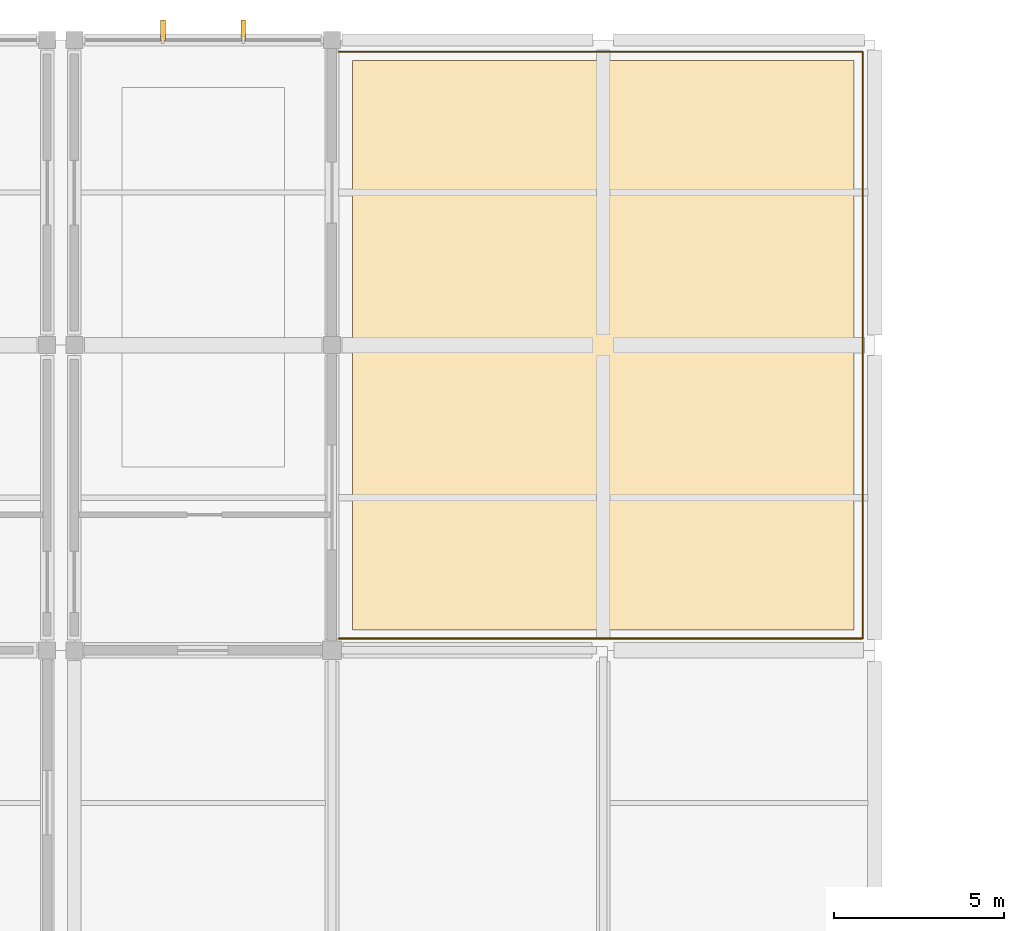
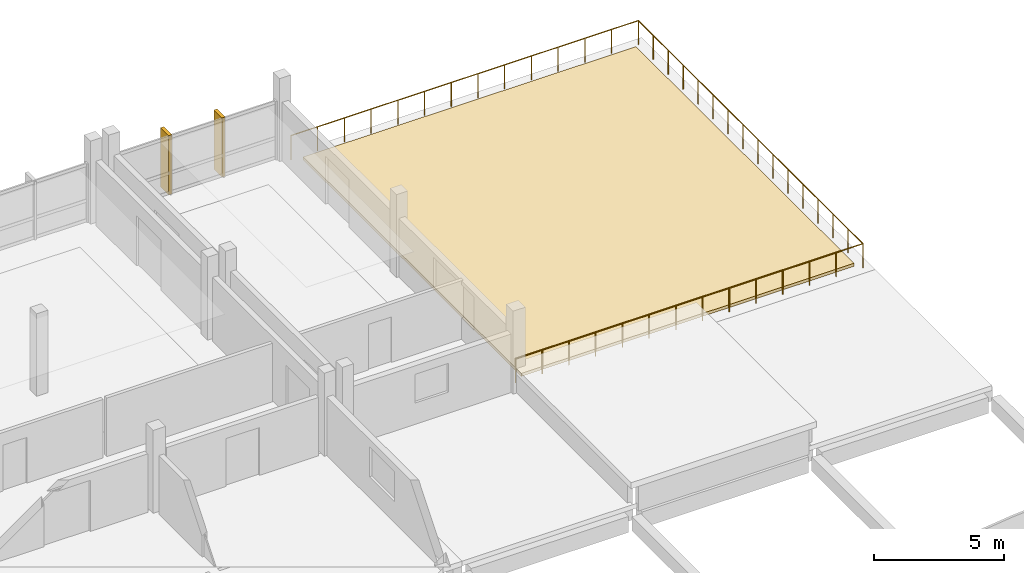
# One storey, part 57 of 57: 2 shading devices, 1 covering, 1 railing.
"""IFC4 building model written with IfcOpenShell, lengths in metres."""

from ifc_helpers import new_model, si_unit, direction, frame, origin, origin_2d, place, context, subcontext, project, spatial, polyline, rectangle, circle, outline, extrude, material, layer, layer_set, type_object, element, save


model = new_model("IFC4")

# Units and contexts
model_context = context("Model", 3, precision=1e-05, world=origin(), true_north=direction((0.0, 1.0)))
body_context = subcontext(model_context, "Body", "Model", "MODEL_VIEW")
ifc_project = project(units=[si_unit("LENGTHUNIT", "METRE"), si_unit("AREAUNIT", "SQUARE_METRE"), si_unit("VOLUMEUNIT", "CUBIC_METRE"), si_unit("PLANEANGLEUNIT", "RADIAN"), si_unit("MASSUNIT", "GRAM", prefix="KILO"), si_unit("THERMODYNAMICTEMPERATUREUNIT", "KELVIN"), si_unit("POWERUNIT", "WATT")], contexts=[model_context])

# Site, building, storey
site_placement = place(None, origin())
site = spatial("IfcSite", under=ifc_project, at=site_placement, CompositionType="ELEMENT")
building_placement = place(site_placement, origin())
building = spatial("IfcBuilding", under=site, at=building_placement, Name="Kronsvod Quay Wholesale Market", CompositionType="ELEMENT")
storey_placement = place(building_placement, frame((0.0, 0.0, 13.199951171875)))
storey = spatial("IfcBuildingStorey", under=building, at=storey_placement, Name="L03", CompositionType="ELEMENT", Elevation=13.199951171875)

# Covering
ifc_material_1 = material(Name="Planted green roof sedum substrate")
ifc_layer = layer(ifc_material_1, 0.139892578125)
ifc_layer_set = layer_set([ifc_layer], Name="Planted green roof sedum substrate")
covering_type = type_object("IfcCoveringType", Name="Cov_GreenRoofSubstrate", PredefinedType="ROOFING", material=ifc_layer_set)
covering_placement = place(storey_placement, origin())
element("IfcCovering", 1, at=covering_placement, inside=storey, type_object=covering_type, Name="COV-GD-L03HE", PredefinedType="ROOFING", context=body_context, shape_type="SweptSolid", body=[
    extrude(outline(polyline([(136.60009765625, 108.60009765625), (151.39990234375, 108.60009765625), (151.39990234375, 125.39990234375), (136.60009765625, 125.39990234375), (136.60009765625, 108.60009765625)])), origin(), (0.0, 0.0, 1.0), 0.14013671875),
])

# Railing
ifc_material_2 = material(Name="Stainless steel and laminated glass", Category="steel")
railing_type = type_object("IfcRailingType", Name="Railing_Balustrade1150", PredefinedType="BALUSTRADE", material=ifc_material_2)
railing_placement = place(storey_placement, frame((136.199951171875, 108.35009765625, 0.0)))
element("IfcRailing", 2, at=railing_placement, inside=storey, type_object=railing_type, Name="GRD-L03-GDE", PredefinedType="BALUSTRADE", context=body_context, shape_type="SweptSolid", body=[
    extrude(circle(Radius=0.02392578125, at=origin_2d()), frame((0.0, 0.0, 1.1259765625), z_axis=(1.0, 0.0, 0.0), x_axis=(0.0, 1.0, 0.0)), (0.0, 0.0, 1.0), 15.449951171875),
    extrude(circle(Radius=0.02392578125, at=origin_2d()), frame((15.449951171875, 0.0, 1.1259765625), z_axis=(0.0, 1.0, 0.0), x_axis=(-1.0, 0.0, 0.0)), (0.0, 0.0, 1.0), 17.2998046875),
    extrude(circle(Radius=0.02392578125, at=origin_2d()), frame((15.449951171875, 17.2998046875, 1.1259765625), z_axis=(-1.0, 0.0, 0.0), x_axis=(0.0, -1.0, 0.0)), (0.0, 0.0, 1.0), 15.449951171875),
    extrude(circle(Radius=0.02099609375, at=origin_2d()), origin(), (0.0, 0.0, 1.0), 1.101806640625),
    extrude(circle(Radius=0.02099609375, at=origin_2d()), frame((1.1884765625, 0.0, 0.0)), (0.0, 0.0, 1.0), 1.101806640625),
    extrude(circle(Radius=0.02099609375, at=origin_2d()), frame((2.376953125, 0.0, 0.0)), (0.0, 0.0, 1.0), 1.101806640625),
    extrude(circle(Radius=0.02099609375, at=origin_2d()), frame((3.5654296875, 0.0, 0.0)), (0.0, 0.0, 1.0), 1.101806640625),
    extrude(circle(Radius=0.02099609375, at=origin_2d()), frame((4.75390625, 0.0, 0.0)), (0.0, 0.0, 1.0), 1.101806640625),
    extrude(circle(Radius=0.02099609375, at=origin_2d()), frame((5.9423828125, 0.0, 0.0)), (0.0, 0.0, 1.0), 1.101806640625),
    extrude(circle(Radius=0.02099609375, at=origin_2d()), frame((7.130859375, 0.0, 0.0)), (0.0, 0.0, 1.0), 1.101806640625),
    extrude(circle(Radius=0.02099609375, at=origin_2d()), frame((8.319091796875, 0.0, 0.0)), (0.0, 0.0, 1.0), 1.101806640625),
    extrude(circle(Radius=0.02099609375, at=origin_2d()), frame((9.507568359375, 0.0, 0.0)), (0.0, 0.0, 1.0), 1.101806640625),
    extrude(circle(Radius=0.02099609375, at=origin_2d()), frame((10.696044921875, 0.0, 0.0)), (0.0, 0.0, 1.0), 1.101806640625),
    extrude(circle(Radius=0.02099609375, at=origin_2d()), frame((11.884521484375, 0.0, 0.0)), (0.0, 0.0, 1.0), 1.101806640625),
    extrude(circle(Radius=0.02099609375, at=origin_2d()), frame((13.072998046875, 0.0, 0.0)), (0.0, 0.0, 1.0), 1.101806640625),
    extrude(circle(Radius=0.02099609375, at=origin_2d()), frame((14.261474609375, 0.0, 0.0)), (0.0, 0.0, 1.0), 1.101806640625),
    extrude(circle(Radius=0.02099609375, at=origin_2d()), frame((15.449951171875, 0.0, 0.0)), (0.0, 0.0, 1.0), 1.101806640625),
    extrude(circle(Radius=0.02099609375, at=origin_2d()), frame((15.449951171875, 1.1533203125, 0.0)), (0.0, 0.0, 1.0), 1.101806640625),
    extrude(circle(Radius=0.02099609375, at=origin_2d()), frame((15.449951171875, 2.306640625, 0.0)), (0.0, 0.0, 1.0), 1.101806640625),
    extrude(circle(Radius=0.02099609375, at=origin_2d()), frame((15.449951171875, 3.4599609375, 0.0)), (0.0, 0.0, 1.0), 1.101806640625),
    extrude(circle(Radius=0.02099609375, at=origin_2d()), frame((15.449951171875, 4.61328125, 0.0)), (0.0, 0.0, 1.0), 1.101806640625),
    extrude(circle(Radius=0.02099609375, at=origin_2d()), frame((15.449951171875, 5.7666015625, 0.0)), (0.0, 0.0, 1.0), 1.101806640625),
    extrude(circle(Radius=0.02099609375, at=origin_2d()), frame((15.449951171875, 6.919921875, 0.0)), (0.0, 0.0, 1.0), 1.101806640625),
    extrude(circle(Radius=0.02099609375, at=origin_2d()), frame((15.449951171875, 8.0732421875, 0.0)), (0.0, 0.0, 1.0), 1.101806640625),
    extrude(circle(Radius=0.02099609375, at=origin_2d()), frame((15.449951171875, 9.2265625, 0.0)), (0.0, 0.0, 1.0), 1.101806640625),
    extrude(circle(Radius=0.02099609375, at=origin_2d()), frame((15.449951171875, 10.3798828125, 0.0)), (0.0, 0.0, 1.0), 1.101806640625),
    extrude(circle(Radius=0.02099609375, at=origin_2d()), frame((15.449951171875, 11.533203125, 0.0)), (0.0, 0.0, 1.0), 1.101806640625),
    extrude(circle(Radius=0.02099609375, at=origin_2d()), frame((15.449951171875, 12.6865234375, 0.0)), (0.0, 0.0, 1.0), 1.101806640625),
    extrude(circle(Radius=0.02099609375, at=origin_2d()), frame((15.449951171875, 13.83984375, 0.0)), (0.0, 0.0, 1.0), 1.101806640625),
    extrude(circle(Radius=0.02099609375, at=origin_2d()), frame((15.449951171875, 14.9931640625, 0.0)), (0.0, 0.0, 1.0), 1.101806640625),
    extrude(circle(Radius=0.02099609375, at=origin_2d()), frame((15.449951171875, 16.146484375, 0.0)), (0.0, 0.0, 1.0), 1.101806640625),
    extrude(circle(Radius=0.02099609375, at=origin_2d()), frame((15.449951171875, 17.2998046875, 0.0)), (0.0, 0.0, 1.0), 1.101806640625),
    extrude(circle(Radius=0.02099609375, at=origin_2d()), frame((14.261474609375, 17.2998046875, 0.0)), (0.0, 0.0, 1.0), 1.101806640625),
    extrude(circle(Radius=0.02099609375, at=origin_2d()), frame((13.072998046875, 17.2998046875, 0.0)), (0.0, 0.0, 1.0), 1.101806640625),
    extrude(circle(Radius=0.02099609375, at=origin_2d()), frame((11.884521484375, 17.2998046875, 0.0)), (0.0, 0.0, 1.0), 1.101806640625),
    extrude(circle(Radius=0.02099609375, at=origin_2d()), frame((10.696044921875, 17.2998046875, 0.0)), (0.0, 0.0, 1.0), 1.101806640625),
    extrude(circle(Radius=0.02099609375, at=origin_2d()), frame((9.507568359375, 17.2998046875, 0.0)), (0.0, 0.0, 1.0), 1.101806640625),
    extrude(circle(Radius=0.02099609375, at=origin_2d()), frame((8.319091796875, 17.2998046875, 0.0)), (0.0, 0.0, 1.0), 1.101806640625),
    extrude(circle(Radius=0.02099609375, at=origin_2d()), frame((7.130859375, 17.2998046875, 0.0)), (0.0, 0.0, 1.0), 1.101806640625),
    extrude(circle(Radius=0.02099609375, at=origin_2d()), frame((5.9423828125, 17.2998046875, 0.0)), (0.0, 0.0, 1.0), 1.101806640625),
    extrude(circle(Radius=0.02099609375, at=origin_2d()), frame((4.75390625, 17.2998046875, 0.0)), (0.0, 0.0, 1.0), 1.101806640625),
    extrude(circle(Radius=0.02099609375, at=origin_2d()), frame((3.5654296875, 17.2998046875, 0.0)), (0.0, 0.0, 1.0), 1.101806640625),
    extrude(circle(Radius=0.02099609375, at=origin_2d()), frame((2.376953125, 17.2998046875, 0.0)), (0.0, 0.0, 1.0), 1.101806640625),
    extrude(circle(Radius=0.02099609375, at=origin_2d()), frame((1.1884765625, 17.2998046875, 0.0)), (0.0, 0.0, 1.0), 1.101806640625),
    extrude(circle(Radius=0.02099609375, at=origin_2d()), frame((0.0, 17.2998046875, 0.0)), (0.0, 0.0, 1.0), 1.101806640625),
])

# Shading devices
ifc_material_3 = material(Name="Anodised aluminium", Category="aluminium")
shading_device_type = type_object("IfcShadingDeviceType", Name="Shade_SolarFin", PredefinedType="AWNING", material=ifc_material_3)
for number, where, z_axis, x_axis, name in (
    (3, (131.014892578125, 126.280029296875, -0.02001953125), (0.0, 0.0, 1.0), (1.0, 0.0, 0.0), "SHDF-CWGX-L03-1284-1260-1310"),
    (4, (133.385009765625, 126.280029296875, -0.02001953125), (0.0, 0.0, 1.0), (1.0, 0.0, 0.0), "SHDF-CWGX-L03-1284-1260-1334"),
):
    element("IfcShadingDevice", number, at=place(storey_placement, frame(where, z_axis=z_axis, x_axis=x_axis)), inside=storey, type_object=shading_device_type, Name=name, PredefinedType="AWNING", context=body_context, shape_type="SweptSolid", body=[
        extrude(rectangle(XDim=0.139892578125, YDim=0.6201171875, at=origin_2d()), origin(), (0.0, 0.0, 1.0), 2.7900390625),
    ])

save(model, "model.ifc")
